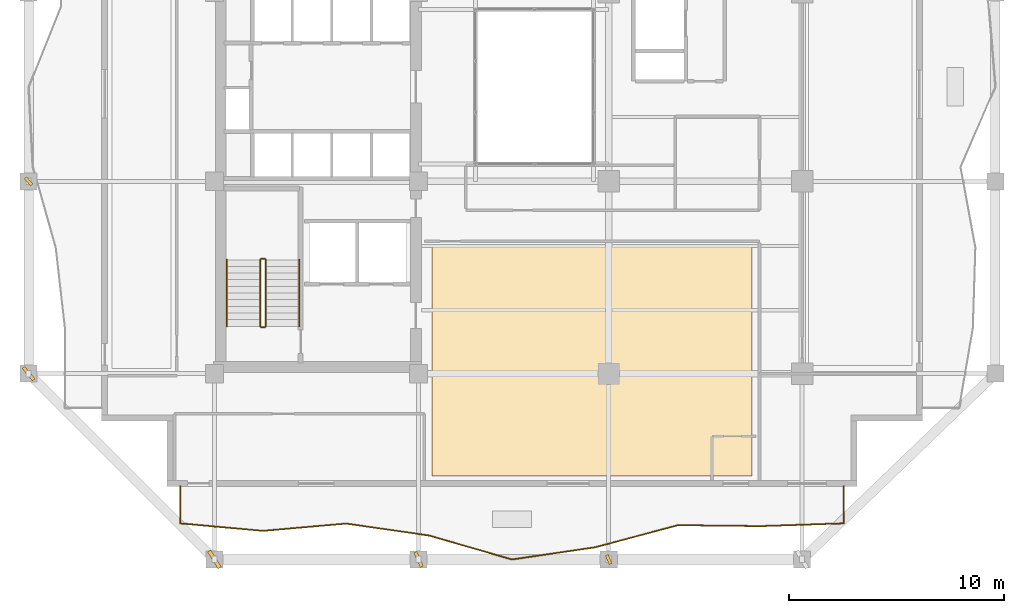
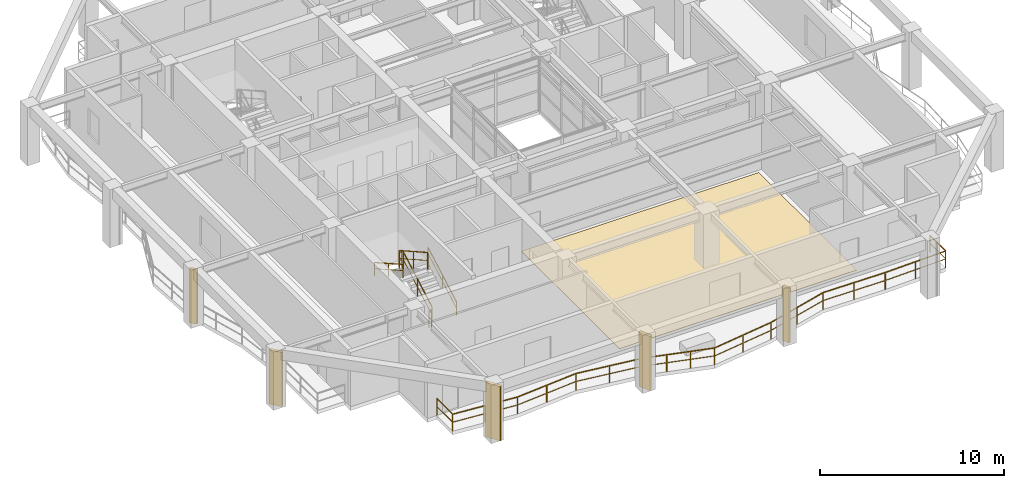
# One storey, part 11 of 14: 7 railings, 5 shading devices, 1 covering.
"""IFC4 building model written with IfcOpenShell, lengths in metres."""

import ifcopenshell
import ifcopenshell.guid

model = None  # the IFC model being written
_history = None  # IfcOwnerHistory: only IFC2X3 demands one
_inside = {}  # id of a spatial element -> (the spatial element, [elements in it])
_under = {}  # id of a project, library or spatial element -> (it, [spatial elements below it])
_declared = {}  # id of a project -> (the project, [libraries it declares])
_typed = {}  # id of a type object -> (the type object, [elements of that type])
_made_of = {}  # id of a material, layer set ... -> (it, [elements and type objects made of it])


def new_model(schema):
    """Start an empty IFC model of exactly this schema.

    Asked for "IFC4X3", IfcOpenShell would pick the latest addendum, in which some entities
    have other attributes; the version numbers below select the first issue.
    IFC2X3 requires an IfcOwnerHistory on every rooted entity: one is made here for all.
    """
    global model, _history
    if schema == "IFC4X3":
        model = ifcopenshell.file(schema_version=(4, 3, 0, 0))
    else:
        model = ifcopenshell.file(schema=schema)
    _inside.clear()
    _under.clear()
    _declared.clear()
    _typed.clear()
    _made_of.clear()
    _history = None
    if model.schema == "IFC2X3":
        org = make("IfcOrganization", Name="unknown")
        user = make(
            "IfcPersonAndOrganization",
            ThePerson=make("IfcPerson", FamilyName="unknown"),
            TheOrganization=org,
        )
        app = make(
            "IfcApplication",
            ApplicationDeveloper=org,
            Version="unknown",
            ApplicationFullName="unknown",
            ApplicationIdentifier="unknown",
        )
        _history = make(
            "IfcOwnerHistory",
            OwningUser=user,
            OwningApplication=app,
            ChangeAction="ADDED",
            CreationDate=0,
        )
    return model


def make(cls, **values):
    """One entity of the class cls with the attributes given. An attribute that is None is left unset."""
    return model.create_entity(
        cls, **{name: value for name, value in values.items() if value is not None}
    )


def rooted(cls, **values):
    """An entity with a GlobalId (a new one), such as an element, a storey or a relation."""
    return make(cls, GlobalId=ifcopenshell.guid.new(), OwnerHistory=_history, **values)


def si_unit(unit_type, name, prefix=None):
    """IfcSIUnit, for example si_unit("LENGTHUNIT", "METRE", prefix="MILLI")."""
    return make("IfcSIUnit", UnitType=unit_type, Prefix=prefix, Name=name)


def assignment(units):
    """IfcUnitAssignment: the units of a project."""
    return None if units is None else make("IfcUnitAssignment", Units=units)


def point(xyz):
    """IfcCartesianPoint."""
    return None if xyz is None else make("IfcCartesianPoint", Coordinates=xyz)


def direction(xyz):
    """IfcDirection."""
    return None if xyz is None else make("IfcDirection", DirectionRatios=xyz)


def frame(location, z_axis=None, x_axis=None):
    """IfcAxis2Placement3D, a coordinate frame: its origin and axes. An axis left out is left unset."""
    return make(
        "IfcAxis2Placement3D",
        Location=point(location),
        Axis=direction(z_axis),
        RefDirection=direction(x_axis),
    )


def frame_2d(location, x_axis=None):
    """IfcAxis2Placement2D, a coordinate frame in the plane: its origin and x axis."""
    return make(
        "IfcAxis2Placement2D", Location=point(location), RefDirection=direction(x_axis)
    )


def origin():
    """The frame at (0, 0, 0) with its axes left unset."""
    return frame((0.0, 0.0, 0.0))


def origin_2d():
    """The frame at (0, 0) in the plane with its x axis left unset."""
    return frame_2d((0.0, 0.0))


def place(relative_to, where):
    """IfcLocalPlacement: puts the frame where relative to a parent placement (None: the world)."""
    return make(
        "IfcLocalPlacement", PlacementRelTo=relative_to, RelativePlacement=where
    )


def context(
    kind, dimensions, precision=None, world=None, true_north=None, identifier=None
):
    """IfcGeometricRepresentationContext, for example the 3D "Model" context."""
    return make(
        "IfcGeometricRepresentationContext",
        ContextIdentifier=identifier,
        ContextType=kind,
        CoordinateSpaceDimension=dimensions,
        Precision=precision,
        WorldCoordinateSystem=world,
        TrueNorth=true_north,
    )


def subcontext(parent, identifier, kind, view, scale=None):
    """IfcGeometricRepresentationSubContext, for example "Body" below "Model"."""
    return make(
        "IfcGeometricRepresentationSubContext",
        ContextIdentifier=identifier,
        ContextType=kind,
        ParentContext=parent,
        TargetScale=scale,
        TargetView=view,
    )


def project(units=None, contexts=None):
    """IfcProject with its units and contexts."""
    return rooted(
        "IfcProject",
        Name="project",
        RepresentationContexts=contexts,
        UnitsInContext=assignment(units),
    )


def spatial(cls, under=None, at=None, **own):
    """A site, building, storey or space (cls), placed at a placement, below another one or the project."""
    s = rooted(cls, ObjectPlacement=at, **own)
    if under is not None:
        _under.setdefault(under.id(), (under, []))[1].append(s)
    return s


def polyline(points):
    """IfcPolyline through the points."""
    return make("IfcPolyline", Points=[point(p) for p in points])


def profile(cls, at=None, kind="AREA", **sizes):
    """A parametric profile (cls). Its sizes go by their IFC names, for example OverallWidth=200.0."""
    return make(cls, ProfileType=kind, Position=at, **sizes)


def rectangle(**sizes):
    """IfcRectangleProfileDef."""
    return profile("IfcRectangleProfileDef", **sizes)


def outline(outer, holes=None, kind="AREA"):
    """IfcArbitraryClosedProfileDef: a profile drawn as a closed curve; with holes, ...WithVoids."""
    if holes is None:
        return make("IfcArbitraryClosedProfileDef", ProfileType=kind, OuterCurve=outer)
    return make(
        "IfcArbitraryProfileDefWithVoids",
        ProfileType=kind,
        OuterCurve=outer,
        InnerCurves=holes,
    )


def extrude(swept, where, along, depth):
    """IfcExtrudedAreaSolid: the profile swept, set in the frame where, extruded along a direction by depth."""
    return make(
        "IfcExtrudedAreaSolid",
        SweptArea=swept,
        Position=where,
        ExtrudedDirection=direction(along),
        Depth=depth,
    )


def shape(context_of_items, identifier, shape_type, items):
    """IfcShapeRepresentation: the items that make up one representation, for example the "Body"."""
    return make(
        "IfcShapeRepresentation",
        ContextOfItems=context_of_items,
        RepresentationIdentifier=identifier,
        RepresentationType=shape_type,
        Items=items,
    )


def material(Name=None, Category=None):
    """IfcMaterial."""
    return make("IfcMaterial", Name=Name, Category=Category)


def layer(
    of_material, thickness, ventilated=None, Name=None, Category=None, Priority=None
):
    """IfcMaterialLayer: one layer of a wall or slab, of a material (None: an air gap)."""
    return make(
        "IfcMaterialLayer",
        Material=of_material,
        LayerThickness=thickness,
        IsVentilated=ventilated,
        Name=Name,
        Category=Category,
        Priority=Priority,
    )


def layer_set(layers, Name=None):
    """IfcMaterialLayerSet."""
    return make("IfcMaterialLayerSet", MaterialLayers=layers, LayerSetName=Name)


def made_of(thing, what):
    """Note that an element or type object is made of a material, layer set ...; save() writes the relation."""
    if what is not None:
        _made_of.setdefault(what.id(), (what, []))[1].append(thing)
    return thing


def type_object(cls, material=None, **own):
    """A type object (cls), such as IfcWallType, which elements share."""
    return made_of(rooted(cls, **own), material)


def element(
    cls,
    number,
    at=None,
    inside=None,
    cuts=None,
    type_object=None,
    material=None,
    context=None,
    identifier="Body",
    shape_type=None,
    held_by="IfcProductDefinitionShape",
    body=None,
    shapes=None,
    **own,
):
    """One element of the class cls, such as IfcWall. Its Tag is "e" and its number.

    at: its placement. inside: the storey or other place that contains it. cuts: it is an
    opening in that element (IfcRelVoidsElement). A single representation is given by context,
    identifier, shape_type and body (its items); several are given by shapes. held_by: the class
    of the entity that holds the representations. save() writes the other relations.
    """
    e = rooted(cls, Tag="e%d" % number, ObjectPlacement=at, **own)
    if body is not None:
        shapes = [shape(context, identifier, shape_type, body)]
    if shapes is not None:
        e.Representation = make(held_by, Representations=shapes)
    if inside is not None:
        _inside.setdefault(inside.id(), (inside, []))[1].append(e)
    if cuts is not None:
        rooted(
            "IfcRelVoidsElement", RelatingBuildingElement=cuts, RelatedOpeningElement=e
        )
    if type_object is not None:
        _typed.setdefault(type_object.id(), (type_object, []))[1].append(e)
    return made_of(e, material)


def aggregate(whole, parts):
    """IfcRelAggregates: a whole, such as a stair, and the parts it consists of."""
    return rooted("IfcRelAggregates", RelatingObject=whole, RelatedObjects=parts)


def save(model, path):
    """Write the relations noted so far, then the file.

    IfcRelAggregates (storeys below a building ...), IfcRelContainedInSpatialStructure (elements
    in a storey), IfcRelDefinesByType, IfcRelAssociatesMaterial and IfcRelDeclares: one each for
    every whole, place, type object, material and project.
    """
    for whole, parts in _under.values():
        aggregate(whole, parts)
    for where, things in _inside.values():
        rooted(
            "IfcRelContainedInSpatialStructure",
            RelatedElements=things,
            RelatingStructure=where,
        )
    for kind, things in _typed.values():
        rooted("IfcRelDefinesByType", RelatedObjects=things, RelatingType=kind)
    for what, things in _made_of.values():
        rooted("IfcRelAssociatesMaterial", RelatedObjects=things, RelatingMaterial=what)
    for by, libraries in _declared.values():
        rooted("IfcRelDeclares", RelatingContext=by, RelatedDefinitions=libraries)
    model.write(path)


model = new_model("IFC4")

# Units and contexts
model_context = context("Model", 3, precision=1e-05, world=origin(), true_north=direction((0.0, 1.0)))
body_context = subcontext(model_context, "Body", "Model", "MODEL_VIEW")
ifc_project = project(units=[si_unit("LENGTHUNIT", "METRE"), si_unit("AREAUNIT", "SQUARE_METRE"), si_unit("VOLUMEUNIT", "CUBIC_METRE"), si_unit("PLANEANGLEUNIT", "RADIAN"), si_unit("MASSUNIT", "GRAM", prefix="KILO")], contexts=[model_context])

# Site, building, storey
site_placement = place(None, origin())
site = spatial("IfcSite", under=ifc_project, at=site_placement, CompositionType="ELEMENT")
building_placement = place(site_placement, origin())
building = spatial("IfcBuilding", under=site, at=building_placement, Name="Kundavana Baori Tower", CompositionType="ELEMENT")
storey_placement = place(building_placement, frame((0.0, 0.0, 104.0)))
storey = spatial("IfcBuildingStorey", under=building, at=storey_placement, Name="L24", CompositionType="ELEMENT", Elevation=104.0)

# Covering
ifc_material_1 = material(Name="Honed Kota Stone and Terrazzo Flooring", Category="masonry")
ifc_layer = layer(ifc_material_1, 0.030029296875, Name="COV-INT-FLR")
ifc_layer_set = layer_set([ifc_layer], Name="Honed Kota Stone and Terrazzo Flooring")
covering_type = type_object("IfcCoveringType", Name="COV-INT-FLR", PredefinedType="FLOORING", material=ifc_layer_set)
covering_placement = place(storey_placement, origin())
element("IfcCovering", 1, at=covering_placement, inside=storey, type_object=covering_type, Name="L24 Room Finished Stone Flooring 2", PredefinedType="FLOORING", context=body_context, shape_type="SweptSolid", body=[
    extrude(outline(polyline([(25.580078125, 10.47998046875), (40.4599609375, 10.47998046875), (40.4599609375, 21.139892578125), (25.580078125, 21.139892578125), (25.580078125, 10.47998046875)])), origin(), (0.0, 0.0, 1.0), 0.030029296875),
])

# Railings
ifc_material_2 = material(Name="Architectural Patinated Bronze Metalwork")
railing_type_1 = type_object("IfcRailingType", Name="RL-BAL-1150", PredefinedType="BALUSTRADE", material=ifc_material_2)
railing_1_placement = place(storey_placement, frame((44.75, 10.0, 0.0)))
element("IfcRailing", 2, at=railing_1_placement, inside=storey, type_object=railing_type_1, Name="L24 Loggia Balcony Balustrade S", PredefinedType="BALUSTRADE", context=body_context, shape_type="SweptSolid", body=[
    extrude(rectangle(XDim=0.048095703125, YDim=0.048095703125, at=origin_2d()), frame((0.0, 0.0, 1.1259765625), z_axis=(0.0, -1.0, 0.0), x_axis=(1.0, 0.0, 0.0)), (0.0, 0.0, 1.0), 1.719970703125),
    extrude(rectangle(XDim=0.03125, YDim=0.03125, at=origin_2d()), frame((0.0, 0.0, 0.597900390625), z_axis=(0.0, -1.0, 0.0), x_axis=(1.0, 0.0, 0.0)), (0.0, 0.0, 1.0), 1.719970703125),
    extrude(rectangle(XDim=0.048095703125, YDim=0.048095703125, at=origin_2d()), frame((0.0, -1.719970703125, 1.1259765625), z_axis=(-0.999433137972, -0.033666047054, 0.0), x_axis=(0.033666047054, -0.999433137972, 0.0)), (0.0, 0.0, 1.0), 3.865234375),
    extrude(rectangle(XDim=0.03125, YDim=0.03125, at=origin_2d()), frame((0.0, -1.719970703125, 0.597900390625), z_axis=(-0.999433137972, -0.033666047054, 0.0), x_axis=(0.033666047054, -0.999433137972, 0.0)), (0.0, 0.0, 1.0), 3.865234375),
    extrude(rectangle(XDim=0.048095703125, YDim=0.048095703125, at=origin_2d()), frame((-3.863037109375, -1.85009765625, 1.1259765625), z_axis=(-0.999934547466, 0.011441188008, 0.0), x_axis=(-0.011441188008, -0.999934547466, 0.0)), (0.0, 0.0, 1.0), 3.8623046875),
    extrude(rectangle(XDim=0.03125, YDim=0.03125, at=origin_2d()), frame((-3.863037109375, -1.85009765625, 0.597900390625), z_axis=(-0.999934547466, 0.011441188008, 0.0), x_axis=(-0.011441188008, -0.999934547466, 0.0)), (0.0, 0.0, 1.0), 3.8623046875),
    extrude(rectangle(XDim=0.048095703125, YDim=0.048095703125, at=origin_2d()), frame((-7.72509765625, -1.805908203125, 1.1259765625), z_axis=(-0.966160894299, -0.257940160363, 0.0), x_axis=(0.257940160363, -0.966160894299, 0.0)), (0.0, 0.0, 1.0), 3.9970703125),
    extrude(rectangle(XDim=0.03125, YDim=0.03125, at=origin_2d()), frame((-7.72509765625, -1.805908203125, 0.597900390625), z_axis=(-0.966160894299, -0.257940160363, 0.0), x_axis=(0.257940160363, -0.966160894299, 0.0)), (0.0, 0.0, 1.0), 3.9970703125),
    extrude(rectangle(XDim=0.048095703125, YDim=0.048095703125, at=origin_2d()), frame((-11.5869140625, -2.8369140625, 1.1259765625), z_axis=(-0.989546558138, -0.144213762439, 0.0), x_axis=(0.144213762439, -0.989546558138, 0.0)), (0.0, 0.0, 1.0), 3.90380859375),
    extrude(rectangle(XDim=0.03125, YDim=0.03125, at=origin_2d()), frame((-11.5869140625, -2.8369140625, 0.597900390625), z_axis=(-0.989546558138, -0.144213762439, 0.0), x_axis=(0.144213762439, -0.989546558138, 0.0)), (0.0, 0.0, 1.0), 3.90380859375),
    extrude(rectangle(XDim=0.048095703125, YDim=0.048095703125, at=origin_2d()), frame((-15.449951171875, -3.39990234375, 1.1259765625), z_axis=(-0.960907228338, 0.27687054471, 0.0), x_axis=(-0.27687054471, -0.960907228338, 0.0)), (0.0, 0.0, 1.0), 4.019287109375),
    extrude(rectangle(XDim=0.03125, YDim=0.03125, at=origin_2d()), frame((-15.449951171875, -3.39990234375, 0.597900390625), z_axis=(-0.960907228338, 0.27687054471, 0.0), x_axis=(-0.27687054471, -0.960907228338, 0.0)), (0.0, 0.0, 1.0), 4.019287109375),
    extrude(rectangle(XDim=0.048095703125, YDim=0.048095703125, at=origin_2d()), frame((-19.31201171875, -2.287109375, 1.1259765625), z_axis=(-0.989759703555, 0.142743578557, 0.0), x_axis=(-0.142743578557, -0.989759703555, 0.0)), (0.0, 0.0, 1.0), 3.903076171875),
    extrude(rectangle(XDim=0.03125, YDim=0.03125, at=origin_2d()), frame((-19.31201171875, -2.287109375, 0.597900390625), z_axis=(-0.989759703555, 0.142743578557, 0.0), x_axis=(-0.142743578557, -0.989759703555, 0.0)), (0.0, 0.0, 1.0), 3.903076171875),
    extrude(rectangle(XDim=0.048095703125, YDim=0.048095703125, at=origin_2d()), frame((-23.175048828125, -1.72998046875, 1.1259765625), z_axis=(-0.996125147296, -0.087947091624, 0.0), x_axis=(0.087947091624, -0.996125147296, 0.0)), (0.0, 0.0, 1.0), 3.878173828125),
    extrude(rectangle(XDim=0.03125, YDim=0.03125, at=origin_2d()), frame((-23.175048828125, -1.72998046875, 0.597900390625), z_axis=(-0.996125147296, -0.087947091624, 0.0), x_axis=(0.087947091624, -0.996125147296, 0.0)), (0.0, 0.0, 1.0), 3.878173828125),
    extrude(rectangle(XDim=0.048095703125, YDim=0.048095703125, at=origin_2d()), frame((-27.0380859375, -2.071044921875, 1.1259765625), z_axis=(-0.995893206468, 0.090535746043, 0.0), x_axis=(-0.090535746043, -0.995893206468, 0.0)), (0.0, 0.0, 1.0), 3.877685546875),
    extrude(rectangle(XDim=0.03125, YDim=0.03125, at=origin_2d()), frame((-27.0380859375, -2.071044921875, 0.597900390625), z_axis=(-0.995893206468, 0.090535746043, 0.0), x_axis=(-0.090535746043, -0.995893206468, 0.0)), (0.0, 0.0, 1.0), 3.877685546875),
    extrude(rectangle(XDim=0.048095703125, YDim=0.048095703125, at=origin_2d()), frame((-30.89990234375, -1.719970703125, 1.1259765625), z_axis=(0.0, 1.0, 0.0), x_axis=(-1.0, 0.0, 0.0)), (0.0, 0.0, 1.0), 1.719970703125),
    extrude(rectangle(XDim=0.03125, YDim=0.03125, at=origin_2d()), frame((-30.89990234375, -1.719970703125, 0.597900390625), z_axis=(0.0, 1.0, 0.0), x_axis=(-1.0, 0.0, 0.0)), (0.0, 0.0, 1.0), 1.719970703125),
    extrude(rectangle(XDim=0.0419921875, YDim=0.0419921875, at=origin_2d()), origin(), (0.0, 0.0, 1.0), 1.101806640625),
    extrude(rectangle(XDim=0.0419921875, YDim=0.0419921875, at=origin_2d()), frame((0.0, -1.719970703125, 0.0)), (0.0, 0.0, 1.0), 1.101806640625),
    extrude(rectangle(XDim=0.0419921875, YDim=0.0419921875, at=origin_2d()), frame((-1.931640625, -1.78515625, 0.0)), (0.0, 0.0, 1.0), 1.101806640625),
    extrude(rectangle(XDim=0.0419921875, YDim=0.0419921875, at=origin_2d()), frame((-3.863037109375, -1.85009765625, 0.0)), (0.0, 0.0, 1.0), 1.101806640625),
    extrude(rectangle(XDim=0.0419921875, YDim=0.0419921875, at=origin_2d()), frame((-5.7939453125, -1.828125, 0.0)), (0.0, 0.0, 1.0), 1.101806640625),
    extrude(rectangle(XDim=0.0419921875, YDim=0.0419921875, at=origin_2d()), frame((-7.72509765625, -1.805908203125, 0.0)), (0.0, 0.0, 1.0), 1.101806640625),
    extrude(rectangle(XDim=0.0419921875, YDim=0.0419921875, at=origin_2d()), frame((-9.656005859375, -2.3212890625, 0.0)), (0.0, 0.0, 1.0), 1.101806640625),
    extrude(rectangle(XDim=0.0419921875, YDim=0.0419921875, at=origin_2d()), frame((-11.5869140625, -2.8369140625, 0.0)), (0.0, 0.0, 1.0), 1.101806640625),
    extrude(rectangle(XDim=0.0419921875, YDim=0.0419921875, at=origin_2d()), frame((-13.5185546875, -3.118408203125, 0.0)), (0.0, 0.0, 1.0), 1.101806640625),
    extrude(rectangle(XDim=0.0419921875, YDim=0.0419921875, at=origin_2d()), frame((-15.449951171875, -3.39990234375, 0.0)), (0.0, 0.0, 1.0), 1.101806640625),
    extrude(rectangle(XDim=0.0419921875, YDim=0.0419921875, at=origin_2d()), frame((-16.7373046875, -3.029052734375, 0.0)), (0.0, 0.0, 1.0), 1.101806640625),
    extrude(rectangle(XDim=0.0419921875, YDim=0.0419921875, at=origin_2d()), frame((-18.024658203125, -2.657958984375, 0.0)), (0.0, 0.0, 1.0), 1.101806640625),
    extrude(rectangle(XDim=0.0419921875, YDim=0.0419921875, at=origin_2d()), frame((-19.31201171875, -2.287109375, 0.0)), (0.0, 0.0, 1.0), 1.101806640625),
    extrude(rectangle(XDim=0.0419921875, YDim=0.0419921875, at=origin_2d()), frame((-21.24365234375, -2.008544921875, 0.0)), (0.0, 0.0, 1.0), 1.101806640625),
    extrude(rectangle(XDim=0.0419921875, YDim=0.0419921875, at=origin_2d()), frame((-23.175048828125, -1.72998046875, 0.0)), (0.0, 0.0, 1.0), 1.101806640625),
    extrude(rectangle(XDim=0.0419921875, YDim=0.0419921875, at=origin_2d()), frame((-25.1064453125, -1.900390625, 0.0)), (0.0, 0.0, 1.0), 1.101806640625),
    extrude(rectangle(XDim=0.0419921875, YDim=0.0419921875, at=origin_2d()), frame((-27.0380859375, -2.071044921875, 0.0)), (0.0, 0.0, 1.0), 1.101806640625),
    extrude(rectangle(XDim=0.0419921875, YDim=0.0419921875, at=origin_2d()), frame((-28.968994140625, -1.8955078125, 0.0)), (0.0, 0.0, 1.0), 1.101806640625),
    extrude(rectangle(XDim=0.0419921875, YDim=0.0419921875, at=origin_2d()), frame((-30.89990234375, -1.719970703125, 0.0)), (0.0, 0.0, 1.0), 1.101806640625),
    extrude(rectangle(XDim=0.0419921875, YDim=0.0419921875, at=origin_2d()), frame((-30.89990234375, 0.0, 0.0)), (0.0, 0.0, 1.0), 1.101806640625),
])
ifc_material_3 = material(Name="Architectural Patinated Bronze Metalwork")
railing_type_2 = type_object("IfcRailingType", Name="RL-GRD-1150", PredefinedType="GUARDRAIL", material=ifc_material_3)
railing_2_placement = place(storey_placement, frame((17.840087890625, 17.449951171875, 0.175048828125)))
element("IfcRailing", 3, at=railing_2_placement, inside=storey, type_object=railing_type_2, Name="L24 ST1 stair guard 1", PredefinedType="GUARDRAIL", context=body_context, shape_type="SweptSolid", body=[
    extrude(rectangle(XDim=0.048095703125, YDim=0.048095703125, at=origin_2d()), frame((0.0, 0.0, 1.1259765625), z_axis=(0.0, 0.870830938388, 0.491582624537), x_axis=(-1.0, 0.0, 0.0)), (0.0, 0.0, 1.0), 3.559814453125),
    extrude(rectangle(XDim=0.03125, YDim=0.03125, at=origin_2d()), frame((0.0, 0.0, 0.597900390625), z_axis=(0.0, 0.870830938388, 0.491582624537), x_axis=(-1.0, 0.0, 0.0)), (0.0, 0.0, 1.0), 3.559814453125),
    extrude(rectangle(XDim=0.0419921875, YDim=0.0419921875, at=origin_2d()), origin(), (0.0, 0.0, 1.0), 1.101806640625),
    extrude(rectangle(XDim=0.0419921875, YDim=0.0419921875, at=origin_2d()), frame((0.0, 1.550048828125, 0.875)), (0.0, 0.0, 1.0), 1.101806640625),
    extrude(rectangle(XDim=0.0419921875, YDim=0.0419921875, at=origin_2d()), frame((0.0, 3.10009765625, 1.75)), (0.0, 0.0, 1.0), 1.101806640625),
])
railing_3_placement = place(storey_placement, frame((17.7900390625, 20.60009765625, 1.925048828125)))
element("IfcRailing", 4, at=railing_3_placement, inside=storey, type_object=railing_type_2, Name="L24 ST1 stair guard 2", PredefinedType="GUARDRAIL", context=body_context, shape_type="SweptSolid", body=[
    extrude(rectangle(XDim=0.048095703125, YDim=0.048095703125, at=origin_2d()), frame((0.0, 0.0, 1.1259765625), z_axis=(-1.0, 0.0, 0.0), x_axis=(0.0, -1.0, 0.0)), (0.0, 0.0, 1.0), 0.16015625),
    extrude(rectangle(XDim=0.03125, YDim=0.03125, at=origin_2d()), frame((0.0, 0.0, 0.597900390625), z_axis=(-1.0, 0.0, 0.0), x_axis=(0.0, -1.0, 0.0)), (0.0, 0.0, 1.0), 0.16015625),
    extrude(rectangle(XDim=0.0419921875, YDim=0.0419921875, at=origin_2d()), origin(), (0.0, 0.0, 1.0), 1.101806640625),
    extrude(rectangle(XDim=0.0419921875, YDim=0.0419921875, at=origin_2d()), frame((-0.16015625, 0.0, 0.0)), (0.0, 0.0, 1.0), 1.101806640625),
])
railing_4_placement = place(storey_placement, frame((17.580078125, 20.550048828125, 2.10009765625)))
element("IfcRailing", 5, at=railing_4_placement, inside=storey, type_object=railing_type_2, Name="L24 ST1 stair guard 3", PredefinedType="GUARDRAIL", context=body_context, shape_type="SweptSolid", body=[
    extrude(rectangle(XDim=0.048095703125, YDim=0.048095703125, at=origin_2d()), frame((0.0, 0.0, 1.1259765625), z_axis=(0.0, -0.870830938388, 0.491582624537), x_axis=(1.0, 0.0, 0.0)), (0.0, 0.0, 1.0), 3.559814453125),
    extrude(rectangle(XDim=0.03125, YDim=0.03125, at=origin_2d()), frame((0.0, 0.0, 0.597900390625), z_axis=(0.0, -0.870830938388, 0.491582624537), x_axis=(1.0, 0.0, 0.0)), (0.0, 0.0, 1.0), 3.559814453125),
    extrude(rectangle(XDim=0.0419921875, YDim=0.0419921875, at=origin_2d()), origin(), (0.0, 0.0, 1.0), 1.101806640625),
    extrude(rectangle(XDim=0.0419921875, YDim=0.0419921875, at=origin_2d()), frame((0.0, -1.550048828125, 0.875)), (0.0, 0.0, 1.0), 1.101806640625),
    extrude(rectangle(XDim=0.0419921875, YDim=0.0419921875, at=origin_2d()), frame((0.0, -3.10009765625, 1.75)), (0.0, 0.0, 1.0), 1.101806640625),
])
railing_5_placement = place(storey_placement, frame((17.7900390625, 17.39990234375, 0.0)))
element("IfcRailing", 6, at=railing_5_placement, inside=storey, type_object=railing_type_2, Name="L24 ST1 stair guard 4", PredefinedType="GUARDRAIL", context=body_context, shape_type="SweptSolid", body=[
    extrude(rectangle(XDim=0.048095703125, YDim=0.048095703125, at=origin_2d()), frame((0.0, 0.0, 1.1259765625), z_axis=(-1.0, 0.0, 0.0), x_axis=(0.0, -1.0, 0.0)), (0.0, 0.0, 1.0), 0.16015625),
    extrude(rectangle(XDim=0.03125, YDim=0.03125, at=origin_2d()), frame((0.0, 0.0, 0.597900390625), z_axis=(-1.0, 0.0, 0.0), x_axis=(0.0, -1.0, 0.0)), (0.0, 0.0, 1.0), 0.16015625),
    extrude(rectangle(XDim=0.0419921875, YDim=0.0419921875, at=origin_2d()), origin(), (0.0, 0.0, 1.0), 1.101806640625),
    extrude(rectangle(XDim=0.0419921875, YDim=0.0419921875, at=origin_2d()), frame((-0.16015625, 0.0, 0.0)), (0.0, 0.0, 1.0), 1.101806640625),
])
ifc_material_4 = material(Name="Architectural Patinated Bronze Metalwork")
railing_type_3 = type_object("IfcRailingType", Name="RL-HND-920", PredefinedType="HANDRAIL", material=ifc_material_4)
railing_6_placement = place(storey_placement, frame((19.389892578125, 17.449951171875, 0.175048828125)))
element("IfcRailing", 7, at=railing_6_placement, inside=storey, type_object=railing_type_3, Name="L24 ST1 stair handrail 1", PredefinedType="HANDRAIL", context=body_context, shape_type="SweptSolid", body=[
    extrude(rectangle(XDim=0.048095703125, YDim=0.048095703125, at=origin_2d()), frame((0.0, 0.0, 0.8759765625), z_axis=(0.0, 0.870830938388, 0.491582624537), x_axis=(-1.0, 0.0, 0.0)), (0.0, 0.0, 1.0), 3.559814453125),
    extrude(rectangle(XDim=0.03125, YDim=0.03125, at=origin_2d()), frame((0.0, 0.0, 0.468017578125), z_axis=(0.0, 0.870830938388, 0.491582624537), x_axis=(-1.0, 0.0, 0.0)), (0.0, 0.0, 1.0), 3.559814453125),
    extrude(rectangle(XDim=0.0419921875, YDim=0.0419921875, at=origin_2d()), origin(), (0.0, 0.0, 1.0), 0.851806640625),
    extrude(rectangle(XDim=0.0419921875, YDim=0.0419921875, at=origin_2d()), frame((0.0, 1.550048828125, 0.875)), (0.0, 0.0, 1.0), 0.851806640625),
    extrude(rectangle(XDim=0.0419921875, YDim=0.0419921875, at=origin_2d()), frame((0.0, 3.10009765625, 1.75)), (0.0, 0.0, 1.0), 0.851806640625),
])
railing_7_placement = place(storey_placement, frame((16.030029296875, 20.550048828125, 2.10009765625)))
element("IfcRailing", 8, at=railing_7_placement, inside=storey, type_object=railing_type_3, Name="L24 ST1 stair handrail 2", PredefinedType="HANDRAIL", context=body_context, shape_type="SweptSolid", body=[
    extrude(rectangle(XDim=0.048095703125, YDim=0.048095703125, at=origin_2d()), frame((0.0, 0.0, 0.8759765625), z_axis=(0.0, -0.870830938388, 0.491582624537), x_axis=(1.0, 0.0, 0.0)), (0.0, 0.0, 1.0), 3.559814453125),
    extrude(rectangle(XDim=0.03125, YDim=0.03125, at=origin_2d()), frame((0.0, 0.0, 0.468017578125), z_axis=(0.0, -0.870830938388, 0.491582624537), x_axis=(1.0, 0.0, 0.0)), (0.0, 0.0, 1.0), 3.559814453125),
    extrude(rectangle(XDim=0.0419921875, YDim=0.0419921875, at=origin_2d()), origin(), (0.0, 0.0, 1.0), 0.851806640625),
    extrude(rectangle(XDim=0.0419921875, YDim=0.0419921875, at=origin_2d()), frame((0.0, -1.550048828125, 0.875)), (0.0, 0.0, 1.0), 0.851806640625),
    extrude(rectangle(XDim=0.0419921875, YDim=0.0419921875, at=origin_2d()), frame((0.0, -3.10009765625, 1.75)), (0.0, 0.0, 1.0), 0.851806640625),
])

# Shading devices
ifc_material_5 = material(Name="Red-Buff Dholpur Sandstone Cladding on Concrete C40/50", Category="masonry")
shading_device_type_1 = type_object("IfcShadingDeviceType", Name="SHD-FIN-750", PredefinedType="JALOUSIE", material=ifc_material_5)
for number, where, z_axis, x_axis, name in (
    (9, (24.949951171875, 6.60009765625, 0.0), (0.0, 0.0, 1.0), (0.915522231315, 0.402267378703, 0.0), "L24 Sweeping Dholpur Sandstone Facade Fin 2"),
    (10, (6.800048828125, 15.25, 0.0), (0.0, 0.0, 1.0), (0.772733573497, 0.634730513202, 0.0), "L24 Sweeping Dholpur Sandstone Facade Fin 5"),
):
    element("IfcShadingDevice", number, at=place(storey_placement, frame(where, z_axis=z_axis, x_axis=x_axis)), inside=storey, type_object=shading_device_type_1, Name=name, PredefinedType="JALOUSIE", context=body_context, shape_type="SweptSolid", body=[
        extrude(rectangle(XDim=0.159912109375, YDim=0.75, at=origin_2d()), origin(), (0.0, 0.0, 1.0), 3.60009765625),
    ])
ifc_material_6 = material(Name="Red-Buff Dholpur Sandstone Cladding on Concrete C40/50", Category="masonry")
shading_device_type_2 = type_object("IfcShadingDeviceType", Name="SHD-FIN-920", PredefinedType="JALOUSIE", material=ifc_material_6)
shading_device_placement = place(storey_placement, frame((15.449951171875, 6.60009765625, 0.0), z_axis=(0.0, 0.0, 1.0), x_axis=(0.845727821704, 0.533614515916, 0.0)))
element("IfcShadingDevice", 11, at=shading_device_placement, inside=storey, type_object=shading_device_type_2, Name="L24 Sweeping Dholpur Sandstone Facade Fin 1", PredefinedType="JALOUSIE", context=body_context, shape_type="SweptSolid", body=[
    extrude(rectangle(XDim=0.179931640625, YDim=0.919921875, at=origin_2d()), origin(), (0.0, 0.0, 1.0), 3.60009765625),
])
ifc_material_7 = material(Name="Architectural Patinated Bronze Metalwork")
shading_device_type_3 = type_object("IfcShadingDeviceType", Name="SHD-LOUV-450", PredefinedType="SHUTTER", material=ifc_material_7)
for number, where, z_axis, x_axis, name in (
    (12, (33.800048828125, 6.60009765625, 0.0), (0.0, 0.0, 1.0), (0.921795503319, 0.387676476022, 0.0), "L24 Sweeping Dholpur Sandstone Facade Fin 3"),
    (13, (6.800048828125, 24.199951171875, 0.0), (0.0, 0.0, 1.0), (0.747102418695, 0.6647089408, 0.0), "L24 Sweeping Dholpur Sandstone Facade Fin 6"),
):
    element("IfcShadingDevice", number, at=place(storey_placement, frame(where, z_axis=z_axis, x_axis=x_axis)), inside=storey, type_object=shading_device_type_3, Name=name, PredefinedType="SHUTTER", context=body_context, shape_type="SweptSolid", body=[
        extrude(rectangle(XDim=0.139892578125, YDim=0.449951171875, at=origin_2d()), origin(), (0.0, 0.0, 1.0), 3.60009765625),
    ])

save(model, "model.ifc")
